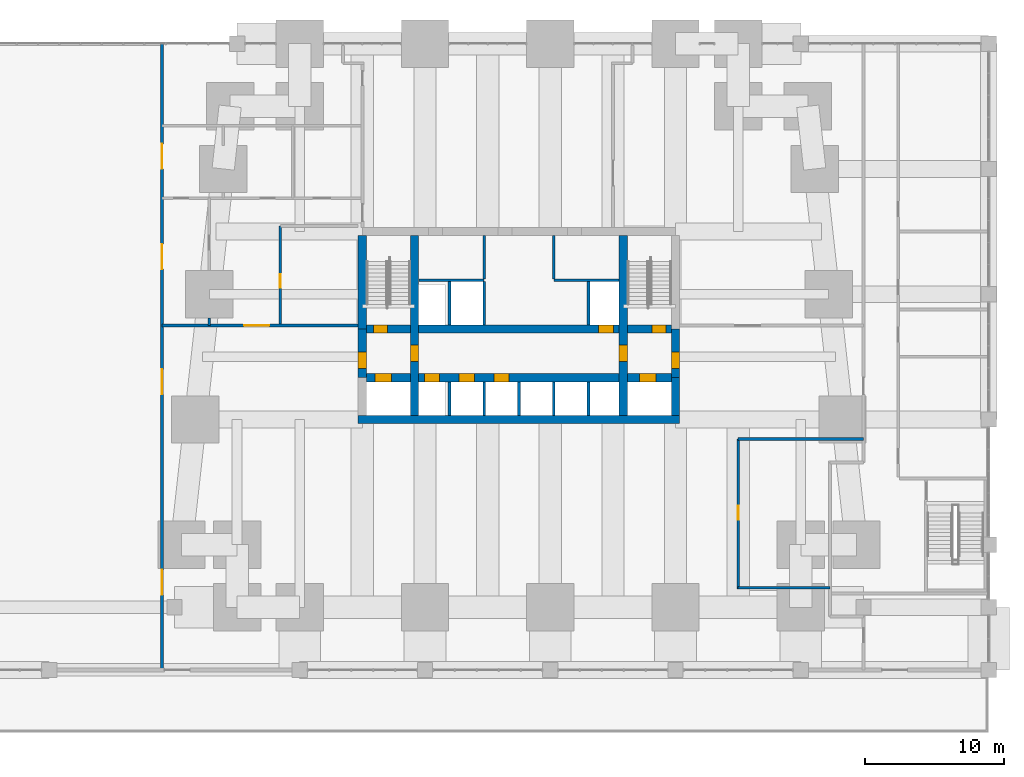
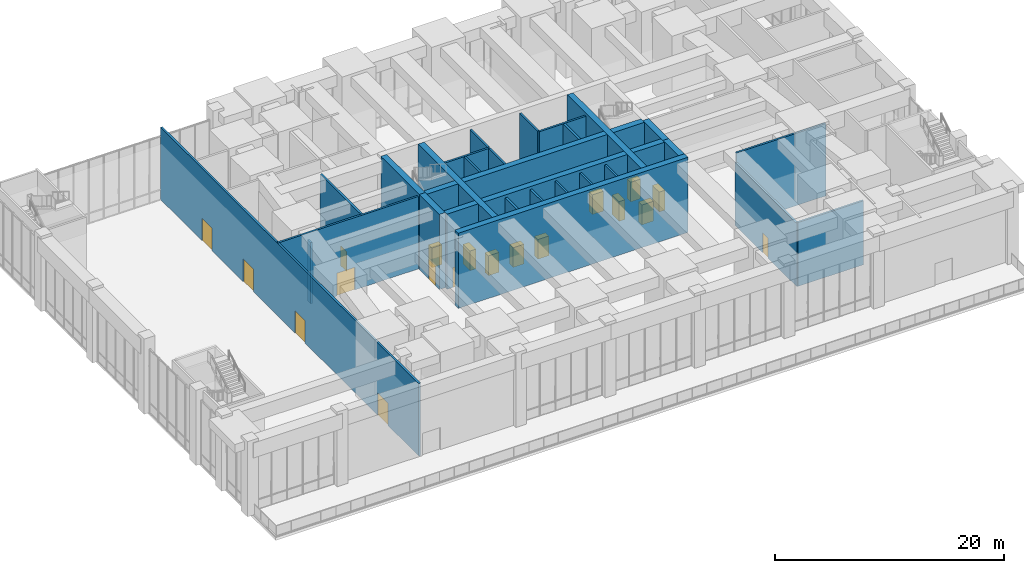
# One storey, part 18 of 26: 28 walls, 19 doors, 19 openings.
"""IFC4 building model written with IfcOpenShell, lengths in metres."""

from ifc_helpers import new_model, si_unit, direction, frame, frame_2d, origin, place, context, subcontext, project, spatial, rectangle, extrude, material, layer, layer_set, type_object, element, fill, save


model = new_model("IFC4")

# Units and contexts
model_context = context("Model", 3, precision=1e-05, world=origin(), true_north=direction((0.0, 1.0)))
body_context = subcontext(model_context, "Body", "Model", "MODEL_VIEW")
ifc_project = project(units=[si_unit("LENGTHUNIT", "METRE"), si_unit("AREAUNIT", "SQUARE_METRE"), si_unit("VOLUMEUNIT", "CUBIC_METRE"), si_unit("PLANEANGLEUNIT", "RADIAN"), si_unit("MASSUNIT", "GRAM", prefix="KILO")], contexts=[model_context])

# Site, building, storey
site_placement = place(None, origin())
site = spatial("IfcSite", under=ifc_project, at=site_placement, CompositionType="ELEMENT")
building_placement = place(site_placement, origin())
building = spatial("IfcBuilding", under=site, at=building_placement, Name="Kilele Tower Hotel", CompositionType="ELEMENT")
storey_placement = place(building_placement, frame((0.0, 0.0, 11.0)))
storey = spatial("IfcBuildingStorey", under=building, at=storey_placement, Name="L02", CompositionType="ELEMENT", Elevation=11.0)

# Wall
ifc_material_1 = material(Name="Concrete C60/75", Category="concrete")
ifc_layer_1 = layer(ifc_material_1, 0.60009765625)
ifc_layer_set_1 = layer_set([ifc_layer_1], Name="Concrete C60/75")
wall_type_1 = type_object("IfcWallType", Name="Core wall 600 C60/75", PredefinedType="SHEAR", material=ifc_layer_set_1)
wall_1_placement = place(storey_placement, frame((13.199951171875, 13.5, 0.0), z_axis=(0.0, 0.0, 1.0), x_axis=(1.0, 0.0, 0.0)))
element("IfcWall", 1, at=wall_1_placement, inside=storey, type_object=wall_type_1, Name="Core wall S L02", PredefinedType="SHEAR", context=body_context, shape_type="SweptSolid", body=[
    extrude(rectangle(XDim=23.10009765625, YDim=0.60009765625, at=frame_2d((11.550048828125, 0.0))), origin(), (0.0, 0.0, 1.0), 8.0),
])

# Wall, opening, door
wall_2_placement = place(storey_placement, frame((17.25, 13.800048828125, 0.0), z_axis=(0.0, 0.0, 1.0), x_axis=(0.0, 1.0, 0.0)))
wall_2 = element("IfcWall", 2, at=wall_2_placement, inside=storey, type_object=wall_type_1, Name="Core wall IW L02", PredefinedType="SHEAR", context=body_context, shape_type="SweptSolid", body=[
    extrude(rectangle(XDim=12.89990234375, YDim=0.60009765625, at=frame_2d((6.449951171875, 0.0))), origin(), (0.0, 0.0, 1.0), 8.0),
])
opening_1_placement = place(wall_2_placement, frame((3.85009765625, 0.0, 0.0)))
opening_1 = element("IfcOpeningElement", 3, at=opening_1_placement, cuts=wall_2, Name="Opening D4", PredefinedType="OPENING", context=body_context, shape_type="SweptSolid", body=[
    extrude(rectangle(XDim=1.199951171875, YDim=2.10009765625, at=frame_2d((0.60009765625, 1.050048828125))), frame((0.0, 0.31005859375, 0.0), z_axis=(0.0, -1.0, 0.0), x_axis=(1.0, 0.0, 0.0)), (0.0, 0.0, 1.0), 0.6201171875),
])
ifc_material_2 = material(Name="Timber door leaf in hardwood frame", Category="wood")
door_type_1 = type_object("IfcDoorType", Name="Firefighting lobby door 1200", OperationType="SINGLE_SWING_LEFT", PredefinedType="DOOR", material=ifc_material_2)
door_1_placement = place(opening_1_placement, origin())
door_1 = element("IfcDoor", 4, at=door_1_placement, inside=storey, type_object=door_type_1, Name="Lobby door L02", OperationType="SINGLE_SWING_LEFT", OverallHeight=2.10009765625, OverallWidth=1.199951171875, PredefinedType="DOOR", context=body_context, shape_type="SweptSolid", body=[
    extrude(rectangle(XDim=1.199951171875, YDim=2.10009765625, at=frame_2d((0.60009765625, 1.050048828125))), frame((0.0, 0.2998046875, 0.0), z_axis=(0.0, -1.0, 0.0), x_axis=(1.0, 0.0, 0.0)), (0.0, 0.0, 1.0), 0.599609375),
])
fill(opening_1, door_1)

wall_3_placement = place(storey_placement, frame((32.25, 13.800048828125, 0.0), z_axis=(0.0, 0.0, 1.0), x_axis=(0.0, 1.0, 0.0)))
wall_3 = element("IfcWall", 5, at=wall_3_placement, inside=storey, type_object=wall_type_1, Name="Core wall IE L02", PredefinedType="SHEAR", context=body_context, shape_type="SweptSolid", body=[
    extrude(rectangle(XDim=12.89990234375, YDim=0.60009765625, at=frame_2d((6.449951171875, 0.0))), origin(), (0.0, 0.0, 1.0), 8.0),
])
opening_2_placement = place(wall_3_placement, frame((5.050048828125, 0.0, 0.0), z_axis=(0.0, 0.0, 1.0), x_axis=(-1.0, 0.0, 0.0)))
opening_2 = element("IfcOpeningElement", 6, at=opening_2_placement, cuts=wall_3, Name="Opening D4", PredefinedType="OPENING", context=body_context, shape_type="SweptSolid", body=[
    extrude(rectangle(XDim=1.199951171875, YDim=2.10009765625, at=frame_2d((0.60009765625, 1.050048828125))), frame((0.0, 0.31005859375, 0.0), z_axis=(0.0, -1.0, 0.0), x_axis=(1.0, 0.0, 0.0)), (0.0, 0.0, 1.0), 0.6201171875),
])
door_2_placement = place(opening_2_placement, origin())
door_2 = element("IfcDoor", 7, at=door_2_placement, inside=storey, type_object=door_type_1, Name="Lobby door L02", OperationType="SINGLE_SWING_RIGHT", OverallHeight=2.10009765625, OverallWidth=1.199951171875, PredefinedType="DOOR", context=body_context, shape_type="SweptSolid", body=[
    extrude(rectangle(XDim=1.199951171875, YDim=2.10009765625, at=frame_2d((0.60009765625, 1.050048828125))), frame((0.0, 0.2998046875, 0.0), z_axis=(0.0, -1.0, 0.0), x_axis=(1.0, 0.0, 0.0)), (0.0, 0.0, 1.0), 0.599609375),
])
fill(opening_2, door_2)

# Wall, openings, doors
wall_4_placement = place(storey_placement, frame((13.800048828125, 16.5, 0.0), z_axis=(0.0, 0.0, 1.0), x_axis=(1.0, 0.0, 0.0)))
wall_4 = element("IfcWall", 8, at=wall_4_placement, inside=storey, type_object=wall_type_1, Name="Core wall LS L02", PredefinedType="SHEAR", context=body_context, shape_type="SweptSolid", body=[
    extrude(rectangle(XDim=21.89990234375, YDim=0.60009765625, at=frame_2d((10.949951171875, 0.0))), origin(), (0.0, 0.0, 1.0), 8.0),
])
opening_3_placement = place(wall_4_placement, frame((4.14990234375, 0.0, 0.0)))
opening_3 = element("IfcOpeningElement", 9, at=opening_3_placement, cuts=wall_4, Name="Opening LD1", PredefinedType="OPENING", context=body_context, shape_type="SweptSolid", body=[
    extrude(rectangle(XDim=1.10009765625, YDim=2.10009765625, at=frame_2d((0.550048828125, 1.050048828125))), frame((0.0, 0.31005859375, 0.0), z_axis=(0.0, -1.0, 0.0), x_axis=(1.0, 0.0, 0.0)), (0.0, 0.0, 1.0), 0.6201171875),
])
opening_4_placement = place(wall_4_placement, frame((6.64990234375, 0.0, 0.0)))
opening_4 = element("IfcOpeningElement", 10, at=opening_4_placement, cuts=wall_4, Name="Opening LD1", PredefinedType="OPENING", context=body_context, shape_type="SweptSolid", body=[
    extrude(rectangle(XDim=1.10009765625, YDim=2.10009765625, at=frame_2d((0.550048828125, 1.050048828125))), frame((0.0, 0.31005859375, 0.0), z_axis=(0.0, -1.0, 0.0), x_axis=(1.0, 0.0, 0.0)), (0.0, 0.0, 1.0), 0.6201171875),
])
opening_5_placement = place(wall_4_placement, frame((9.14990234375, 0.0, 0.0)))
opening_5 = element("IfcOpeningElement", 11, at=opening_5_placement, cuts=wall_4, Name="Opening LD1", PredefinedType="OPENING", context=body_context, shape_type="SweptSolid", body=[
    extrude(rectangle(XDim=1.10009765625, YDim=2.10009765625, at=frame_2d((0.550048828125, 1.050048828125))), frame((0.0, 0.31005859375, 0.0), z_axis=(0.0, -1.0, 0.0), x_axis=(1.0, 0.0, 0.0)), (0.0, 0.0, 1.0), 0.6201171875),
])
opening_6_placement = place(wall_4_placement, frame((0.60009765625, 0.0, 0.0)))
opening_6 = element("IfcOpeningElement", 12, at=opening_6_placement, cuts=wall_4, Name="Opening LD2", PredefinedType="OPENING", context=body_context, shape_type="SweptSolid", body=[
    extrude(rectangle(XDim=1.199951171875, YDim=2.10009765625, at=frame_2d((0.60009765625, 1.050048828125))), frame((0.0, 0.31005859375, 0.0), z_axis=(0.0, -1.0, 0.0), x_axis=(1.0, 0.0, 0.0)), (0.0, 0.0, 1.0), 0.6201171875),
])
opening_7_placement = place(wall_4_placement, frame((19.60009765625, 0.0, 0.0)))
opening_7 = element("IfcOpeningElement", 13, at=opening_7_placement, cuts=wall_4, Name="Opening LD2", PredefinedType="OPENING", context=body_context, shape_type="SweptSolid", body=[
    extrude(rectangle(XDim=1.199951171875, YDim=2.10009765625, at=frame_2d((0.60009765625, 1.050048828125))), frame((0.0, 0.31005859375, 0.0), z_axis=(0.0, -1.0, 0.0), x_axis=(1.0, 0.0, 0.0)), (0.0, 0.0, 1.0), 0.6201171875),
])
ifc_material_3 = material(Name="Steel lift landing door", Category="steel")
door_type_2 = type_object("IfcDoorType", Name="Firefighting lift landing door 1200", OperationType="SLIDING_TO_LEFT", PredefinedType="DOOR", material=ifc_material_3)
door_3_placement = place(opening_6_placement, origin())
door_3 = element("IfcDoor", 14, at=door_3_placement, inside=storey, type_object=door_type_2, Name="Landing door FFW L02", OperationType="SLIDING_TO_LEFT", OverallHeight=2.10009765625, OverallWidth=1.199951171875, PredefinedType="DOOR", context=body_context, shape_type="SweptSolid", body=[
    extrude(rectangle(XDim=1.199951171875, YDim=2.10009765625, at=frame_2d((0.60009765625, 1.050048828125))), frame((0.0, 0.2998046875, 0.0), z_axis=(0.0, -1.0, 0.0), x_axis=(1.0, 0.0, 0.0)), (0.0, 0.0, 1.0), 0.599609375),
])
fill(opening_6, door_3)
door_4_placement = place(opening_7_placement, origin())
door_4 = element("IfcDoor", 15, at=door_4_placement, inside=storey, type_object=door_type_2, Name="Landing door FFE L02", OperationType="SLIDING_TO_LEFT", OverallHeight=2.10009765625, OverallWidth=1.199951171875, PredefinedType="DOOR", context=body_context, shape_type="SweptSolid", body=[
    extrude(rectangle(XDim=1.199951171875, YDim=2.10009765625, at=frame_2d((0.60009765625, 1.050048828125))), frame((0.0, 0.2998046875, 0.0), z_axis=(0.0, -1.0, 0.0), x_axis=(1.0, 0.0, 0.0)), (0.0, 0.0, 1.0), 0.599609375),
])
fill(opening_7, door_4)
ifc_material_4 = material(Name="Steel lift landing door", Category="steel")
door_type_3 = type_object("IfcDoorType", Name="Lift landing door 1100", OperationType="SLIDING_TO_LEFT", PredefinedType="DOOR", material=ifc_material_4)
door_5_placement = place(opening_3_placement, origin())
door_5 = element("IfcDoor", 16, at=door_5_placement, inside=storey, type_object=door_type_3, Name="Landing door L1 L02", OperationType="SLIDING_TO_LEFT", OverallHeight=2.10009765625, OverallWidth=1.10009765625, PredefinedType="DOOR", context=body_context, shape_type="SweptSolid", body=[
    extrude(rectangle(XDim=1.10009765625, YDim=2.10009765625, at=frame_2d((0.550048828125, 1.050048828125))), frame((0.0, 0.2998046875, 0.0), z_axis=(0.0, -1.0, 0.0), x_axis=(1.0, 0.0, 0.0)), (0.0, 0.0, 1.0), 0.599609375),
])
fill(opening_3, door_5)
door_6_placement = place(opening_4_placement, origin())
door_6 = element("IfcDoor", 17, at=door_6_placement, inside=storey, type_object=door_type_3, Name="Landing door L2 L02", OperationType="SLIDING_TO_LEFT", OverallHeight=2.10009765625, OverallWidth=1.10009765625, PredefinedType="DOOR", context=body_context, shape_type="SweptSolid", body=[
    extrude(rectangle(XDim=1.10009765625, YDim=2.10009765625, at=frame_2d((0.550048828125, 1.050048828125))), frame((0.0, 0.2998046875, 0.0), z_axis=(0.0, -1.0, 0.0), x_axis=(1.0, 0.0, 0.0)), (0.0, 0.0, 1.0), 0.599609375),
])
fill(opening_4, door_6)
door_7_placement = place(opening_5_placement, origin())
door_7 = element("IfcDoor", 18, at=door_7_placement, inside=storey, type_object=door_type_3, Name="Landing door L3 L02", OperationType="SLIDING_TO_LEFT", OverallHeight=2.10009765625, OverallWidth=1.10009765625, PredefinedType="DOOR", context=body_context, shape_type="SweptSolid", body=[
    extrude(rectangle(XDim=1.10009765625, YDim=2.10009765625, at=frame_2d((0.550048828125, 1.050048828125))), frame((0.0, 0.2998046875, 0.0), z_axis=(0.0, -1.0, 0.0), x_axis=(1.0, 0.0, 0.0)), (0.0, 0.0, 1.0), 0.599609375),
])
fill(opening_5, door_7)

wall_5_placement = place(storey_placement, frame((13.800048828125, 20.0, 0.0), z_axis=(0.0, 0.0, 1.0), x_axis=(1.0, 0.0, 0.0)))
wall_5 = element("IfcWall", 19, at=wall_5_placement, inside=storey, type_object=wall_type_1, Name="Core wall LN L02", PredefinedType="SHEAR", context=body_context, shape_type="SweptSolid", body=[
    extrude(rectangle(XDim=21.89990234375, YDim=0.60009765625, at=frame_2d((10.949951171875, 0.0))), origin(), (0.0, 0.0, 1.0), 8.0),
])
opening_8_placement = place(wall_5_placement, frame((0.5, 0.0, 0.0)))
opening_8 = element("IfcOpeningElement", 20, at=opening_8_placement, cuts=wall_5, Name="Opening D5", PredefinedType="OPENING", context=body_context, shape_type="SweptSolid", body=[
    extrude(rectangle(XDim=1.0, YDim=2.10009765625, at=frame_2d((0.5, 1.050048828125))), frame((0.0, 0.31005859375, 0.0), z_axis=(0.0, -1.0, 0.0), x_axis=(1.0, 0.0, 0.0)), (0.0, 0.0, 1.0), 0.6201171875),
])
opening_9_placement = place(wall_5_placement, frame((20.5, 0.0, 0.0)))
opening_9 = element("IfcOpeningElement", 21, at=opening_9_placement, cuts=wall_5, Name="Opening D5", PredefinedType="OPENING", context=body_context, shape_type="SweptSolid", body=[
    extrude(rectangle(XDim=1.0, YDim=2.10009765625, at=frame_2d((0.5, 1.050048828125))), frame((0.0, 0.31005859375, 0.0), z_axis=(0.0, -1.0, 0.0), x_axis=(1.0, 0.0, 0.0)), (0.0, 0.0, 1.0), 0.6201171875),
])
opening_10_placement = place(wall_5_placement, frame((16.64990234375, 0.0, 0.0)))
opening_10 = element("IfcOpeningElement", 22, at=opening_10_placement, cuts=wall_5, Name="Opening LD1", PredefinedType="OPENING", context=body_context, shape_type="SweptSolid", body=[
    extrude(rectangle(XDim=1.10009765625, YDim=2.10009765625, at=frame_2d((0.550048828125, 1.050048828125))), frame((0.0, 0.31005859375, 0.0), z_axis=(0.0, -1.0, 0.0), x_axis=(1.0, 0.0, 0.0)), (0.0, 0.0, 1.0), 0.6201171875),
])
door_8_placement = place(opening_10_placement, origin())
door_8 = element("IfcDoor", 23, at=door_8_placement, inside=storey, type_object=door_type_3, Name="Landing door G1 L02", OperationType="SLIDING_TO_LEFT", OverallHeight=2.10009765625, OverallWidth=1.10009765625, PredefinedType="DOOR", context=body_context, shape_type="SweptSolid", body=[
    extrude(rectangle(XDim=1.10009765625, YDim=2.10009765625, at=frame_2d((0.550048828125, 1.050048828125))), frame((0.0, 0.2998046875, 0.0), z_axis=(0.0, -1.0, 0.0), x_axis=(1.0, 0.0, 0.0)), (0.0, 0.0, 1.0), 0.599609375),
])
fill(opening_10, door_8)
ifc_material_5 = material(Name="Timber door leaf in hardwood frame", Category="wood")
door_type_4 = type_object("IfcDoorType", Name="Stair door 1000", OperationType="SINGLE_SWING_LEFT", PredefinedType="DOOR", material=ifc_material_5)
door_9_placement = place(opening_8_placement, origin())
door_9 = element("IfcDoor", 24, at=door_9_placement, inside=storey, type_object=door_type_4, Name="Stair 1 door L02", OperationType="SINGLE_SWING_LEFT", OverallHeight=2.10009765625, OverallWidth=1.0, PredefinedType="DOOR", context=body_context, shape_type="SweptSolid", body=[
    extrude(rectangle(XDim=1.0, YDim=2.10009765625, at=frame_2d((0.5, 1.050048828125))), frame((0.0, 0.2998046875, 0.0), z_axis=(0.0, -1.0, 0.0), x_axis=(1.0, 0.0, 0.0)), (0.0, 0.0, 1.0), 0.599609375),
])
fill(opening_8, door_9)
door_10_placement = place(opening_9_placement, origin())
door_10 = element("IfcDoor", 25, at=door_10_placement, inside=storey, type_object=door_type_4, Name="Stair 2 door L02", OperationType="SINGLE_SWING_RIGHT", OverallHeight=2.10009765625, OverallWidth=1.0, PredefinedType="DOOR", context=body_context, shape_type="SweptSolid", body=[
    extrude(rectangle(XDim=1.0, YDim=2.10009765625, at=frame_2d((0.5, 1.050048828125))), frame((0.0, 0.2998046875, 0.0), z_axis=(0.0, -1.0, 0.0), x_axis=(1.0, 0.0, 0.0)), (0.0, 0.0, 1.0), 0.599609375),
])
fill(opening_9, door_10)

# Wall
wall_6_placement = place(storey_placement, frame((13.5, 26.699951171875, 0.0), z_axis=(0.0, 0.0, 1.0), x_axis=(0.0, -1.0, 0.0)))
element("IfcWall", 26, at=wall_6_placement, inside=storey, type_object=wall_type_1, Name="Core wall W1 L02", PredefinedType="SHEAR", context=body_context, shape_type="SweptSolid", body=[
    extrude(rectangle(XDim=6.699951171875, YDim=0.60009765625, at=frame_2d((3.35009765625, 0.0))), origin(), (0.0, 0.0, 1.0), 8.0),
])

# Wall, opening, door
wall_7_placement = place(storey_placement, frame((13.5, 20.0, 0.0), z_axis=(0.0, 0.0, 1.0), x_axis=(0.0, -1.0, 0.0)))
wall_7 = element("IfcWall", 27, at=wall_7_placement, inside=storey, type_object=wall_type_1, Name="Core wall W2 L02", PredefinedType="SHEAR", context=body_context, shape_type="SweptSolid", body=[
    extrude(rectangle(XDim=3.5, YDim=0.60009765625, at=frame_2d((1.75, 0.0))), origin(), (0.0, 0.0, 1.0), 8.0),
])
opening_11_placement = place(wall_7_placement, frame((1.64990234375, 0.0, 0.0)))
opening_11 = element("IfcOpeningElement", 28, at=opening_11_placement, cuts=wall_7, Name="Opening D4", PredefinedType="OPENING", context=body_context, shape_type="SweptSolid", body=[
    extrude(rectangle(XDim=1.199951171875, YDim=2.10009765625, at=frame_2d((0.60009765625, 1.050048828125))), frame((0.0, 0.31005859375, 0.0), z_axis=(0.0, -1.0, 0.0), x_axis=(1.0, 0.0, 0.0)), (0.0, 0.0, 1.0), 0.6201171875),
])
door_11_placement = place(opening_11_placement, origin())
door_11 = element("IfcDoor", 29, at=door_11_placement, inside=storey, type_object=door_type_1, Name="Lobby door L02", OperationType="SINGLE_SWING_RIGHT", OverallHeight=2.10009765625, OverallWidth=1.199951171875, PredefinedType="DOOR", context=body_context, shape_type="SweptSolid", body=[
    extrude(rectangle(XDim=1.199951171875, YDim=2.10009765625, at=frame_2d((0.60009765625, 1.050048828125))), frame((0.0, 0.2998046875, 0.0), z_axis=(0.0, -1.0, 0.0), x_axis=(1.0, 0.0, 0.0)), (0.0, 0.0, 1.0), 0.599609375),
])
fill(opening_11, door_11)

# Wall
wall_8_placement = place(storey_placement, frame((36.0, 13.800048828125, 0.0), z_axis=(0.0, 0.0, 1.0), x_axis=(0.0, 1.0, 0.0)))
element("IfcWall", 30, at=wall_8_placement, inside=storey, type_object=wall_type_1, Name="Core wall E1 L02", PredefinedType="SHEAR", context=body_context, shape_type="SweptSolid", body=[
    extrude(rectangle(XDim=2.699951171875, YDim=0.60009765625, at=frame_2d((1.35009765625, 0.0))), origin(), (0.0, 0.0, 1.0), 8.0),
])

# Wall, opening, door
wall_9_placement = place(storey_placement, frame((36.0, 16.5, 0.0), z_axis=(0.0, 0.0, 1.0), x_axis=(0.0, 1.0, 0.0)))
wall_9 = element("IfcWall", 31, at=wall_9_placement, inside=storey, type_object=wall_type_1, Name="Core wall E2 L02", PredefinedType="SHEAR", context=body_context, shape_type="SweptSolid", body=[
    extrude(rectangle(XDim=3.5, YDim=0.60009765625, at=frame_2d((1.75, 0.0))), origin(), (0.0, 0.0, 1.0), 8.0),
])
opening_12_placement = place(wall_9_placement, frame((0.64990234375, 0.0, 0.0)))
opening_12 = element("IfcOpeningElement", 32, at=opening_12_placement, cuts=wall_9, Name="Opening D4", PredefinedType="OPENING", context=body_context, shape_type="SweptSolid", body=[
    extrude(rectangle(XDim=1.199951171875, YDim=2.10009765625, at=frame_2d((0.60009765625, 1.050048828125))), frame((0.0, 0.31005859375, 0.0), z_axis=(0.0, -1.0, 0.0), x_axis=(1.0, 0.0, 0.0)), (0.0, 0.0, 1.0), 0.6201171875),
])
door_12_placement = place(opening_12_placement, origin())
door_12 = element("IfcDoor", 33, at=door_12_placement, inside=storey, type_object=door_type_1, Name="Lobby door L02", OperationType="SINGLE_SWING_LEFT", OverallHeight=2.10009765625, OverallWidth=1.199951171875, PredefinedType="DOOR", context=body_context, shape_type="SweptSolid", body=[
    extrude(rectangle(XDim=1.199951171875, YDim=2.10009765625, at=frame_2d((0.60009765625, 1.050048828125))), frame((0.0, 0.2998046875, 0.0), z_axis=(0.0, -1.0, 0.0), x_axis=(1.0, 0.0, 0.0)), (0.0, 0.0, 1.0), 0.599609375),
])
fill(opening_12, door_12)

# Wall, openings, doors
ifc_material_6 = material(Name="Blockwork, plastered both sides", Category="masonry")
ifc_layer_2 = layer(ifc_material_6, 0.199951171875)
ifc_layer_set_2 = layer_set([ifc_layer_2], Name="Blockwork, plastered both sides")
wall_type_2 = type_object("IfcWallType", Name="Partition wall 200", PredefinedType="PARTITIONING", material=ifc_layer_set_2)
wall_10_placement = place(storey_placement, frame((-0.89990234375, -4.5, 0.0), z_axis=(0.0, 0.0, 1.0), x_axis=(0.0, 1.0, 0.0)))
wall_10 = element("IfcWall", 34, at=wall_10_placement, inside=storey, type_object=wall_type_2, Name="Partition wall 200 L02", PredefinedType="PARTITIONING", context=body_context, shape_type="SweptSolid", body=[
    extrude(rectangle(XDim=45.0, YDim=0.199951171875, at=frame_2d((22.5, 0.0))), origin(), (0.0, 0.0, 1.0), 7.699951171875),
])
opening_13_placement = place(wall_10_placement, frame((7.199951171875, 0.0, 0.0), z_axis=(0.0, 0.0, 1.0), x_axis=(-1.0, 0.0, 0.0)))
opening_13 = element("IfcOpeningElement", 35, at=opening_13_placement, cuts=wall_10, Name="Opening D9", PredefinedType="OPENING", context=body_context, shape_type="SweptSolid", body=[
    extrude(rectangle(XDim=1.800048828125, YDim=2.39990234375, at=frame_2d((0.89990234375, 1.199951171875))), frame((0.0, 0.10986328125, 0.0), z_axis=(0.0, -1.0, 0.0), x_axis=(1.0, 0.0, 0.0)), (0.0, 0.0, 1.0), 0.219970703125),
])
opening_14_placement = place(wall_10_placement, frame((21.60009765625, 0.0, 0.0), z_axis=(0.0, 0.0, 1.0), x_axis=(-1.0, 0.0, 0.0)))
opening_14 = element("IfcOpeningElement", 36, at=opening_14_placement, cuts=wall_10, Name="Opening D9", PredefinedType="OPENING", context=body_context, shape_type="SweptSolid", body=[
    extrude(rectangle(XDim=1.800048828125, YDim=2.39990234375, at=frame_2d((0.89990234375, 1.199951171875))), frame((0.0, 0.10986328125, 0.0), z_axis=(0.0, -1.0, 0.0), x_axis=(1.0, 0.0, 0.0)), (0.0, 0.0, 1.0), 0.219970703125),
])
opening_15_placement = place(wall_10_placement, frame((28.800048828125, 0.0, 0.0)))
opening_15 = element("IfcOpeningElement", 37, at=opening_15_placement, cuts=wall_10, Name="Opening D9", PredefinedType="OPENING", context=body_context, shape_type="SweptSolid", body=[
    extrude(rectangle(XDim=1.800048828125, YDim=2.39990234375, at=frame_2d((0.89990234375, 1.199951171875))), frame((0.0, 0.10986328125, 0.0), z_axis=(0.0, -1.0, 0.0), x_axis=(1.0, 0.0, 0.0)), (0.0, 0.0, 1.0), 0.219970703125),
])
opening_16_placement = place(wall_10_placement, frame((37.800048828125, 0.0, 0.0), z_axis=(0.0, 0.0, 1.0), x_axis=(-1.0, 0.0, 0.0)))
opening_16 = element("IfcOpeningElement", 38, at=opening_16_placement, cuts=wall_10, Name="Opening D9", PredefinedType="OPENING", context=body_context, shape_type="SweptSolid", body=[
    extrude(rectangle(XDim=1.800048828125, YDim=2.39990234375, at=frame_2d((0.89990234375, 1.199951171875))), frame((0.0, 0.10986328125, 0.0), z_axis=(0.0, -1.0, 0.0), x_axis=(1.0, 0.0, 0.0)), (0.0, 0.0, 1.0), 0.219970703125),
])
ifc_material_7 = material(Name="Timber door leaf in hardwood frame", Category="wood")
door_type_5 = type_object("IfcDoorType", Name="Double door 1800", OperationType="DOUBLE_DOOR_SINGLE_SWING", PredefinedType="DOOR", material=ifc_material_7)
door_13_placement = place(opening_13_placement, origin())
door_13 = element("IfcDoor", 39, at=door_13_placement, inside=storey, type_object=door_type_5, Name="Ballroom door", OperationType="DOUBLE_DOOR_SINGLE_SWING", OverallHeight=2.39990234375, OverallWidth=1.800048828125, PredefinedType="DOOR", context=body_context, shape_type="SweptSolid", body=[
    extrude(rectangle(XDim=1.800048828125, YDim=2.39990234375, at=frame_2d((0.89990234375, 1.199951171875))), frame((0.0, 0.02490234375, 0.0), z_axis=(0.0, -1.0, 0.0), x_axis=(1.0, 0.0, 0.0)), (0.0, 0.0, 1.0), 0.050048828125),
])
fill(opening_13, door_13)
door_14_placement = place(opening_14_placement, origin())
door_14 = element("IfcDoor", 40, at=door_14_placement, inside=storey, type_object=door_type_5, Name="Ballroom door", OperationType="DOUBLE_DOOR_SINGLE_SWING", OverallHeight=2.39990234375, OverallWidth=1.800048828125, PredefinedType="DOOR", context=body_context, shape_type="SweptSolid", body=[
    extrude(rectangle(XDim=1.800048828125, YDim=2.39990234375, at=frame_2d((0.89990234375, 1.199951171875))), frame((0.0, 0.02490234375, 0.0), z_axis=(0.0, -1.0, 0.0), x_axis=(1.0, 0.0, 0.0)), (0.0, 0.0, 1.0), 0.050048828125),
])
fill(opening_14, door_14)
door_15_placement = place(opening_15_placement, origin())
door_15 = element("IfcDoor", 41, at=door_15_placement, inside=storey, type_object=door_type_5, Name="Ballroom door", OperationType="DOUBLE_DOOR_SINGLE_SWING", OverallHeight=2.39990234375, OverallWidth=1.800048828125, PredefinedType="DOOR", context=body_context, shape_type="SweptSolid", body=[
    extrude(rectangle(XDim=1.800048828125, YDim=2.39990234375, at=frame_2d((0.89990234375, 1.199951171875))), frame((0.0, 0.02490234375, 0.0), z_axis=(0.0, -1.0, 0.0), x_axis=(1.0, 0.0, 0.0)), (0.0, 0.0, 1.0), 0.050048828125),
])
fill(opening_15, door_15)
door_16_placement = place(opening_16_placement, origin())
door_16 = element("IfcDoor", 42, at=door_16_placement, inside=storey, type_object=door_type_5, Name="Ballroom door", OperationType="DOUBLE_DOOR_SINGLE_SWING", OverallHeight=2.39990234375, OverallWidth=1.800048828125, PredefinedType="DOOR", context=body_context, shape_type="SweptSolid", body=[
    extrude(rectangle(XDim=1.800048828125, YDim=2.39990234375, at=frame_2d((0.89990234375, 1.199951171875))), frame((0.0, 0.02490234375, 0.0), z_axis=(0.0, -1.0, 0.0), x_axis=(1.0, 0.0, 0.0)), (0.0, 0.0, 1.0), 0.050048828125),
])
fill(opening_16, door_16)

# Wall, opening, door
wall_11_placement = place(storey_placement, frame((40.5, 1.300048828125, 0.0), z_axis=(0.0, 0.0, 1.0), x_axis=(0.0, 1.0, 0.0)))
wall_11 = element("IfcWall", 43, at=wall_11_placement, inside=storey, type_object=wall_type_2, Name="Partition wall 200 L02", PredefinedType="PARTITIONING", context=body_context, shape_type="SweptSolid", body=[
    extrude(rectangle(XDim=10.800048828125, YDim=0.199951171875, at=frame_2d((5.39990234375, 0.0))), origin(), (0.0, 0.0, 1.0), 6.699951171875),
])
opening_17_placement = place(wall_11_placement, frame((6.0, 0.0, 0.0), z_axis=(0.0, 0.0, 1.0), x_axis=(-1.0, 0.0, 0.0)))
opening_17 = element("IfcOpeningElement", 44, at=opening_17_placement, cuts=wall_11, Name="Opening D8", PredefinedType="OPENING", context=body_context, shape_type="SweptSolid", body=[
    extrude(rectangle(XDim=1.0, YDim=2.10009765625, at=frame_2d((0.5, 1.050048828125))), frame((0.0, 0.10986328125, 0.0), z_axis=(0.0, -1.0, 0.0), x_axis=(1.0, 0.0, 0.0)), (0.0, 0.0, 1.0), 0.219970703125),
])
ifc_material_8 = material(Name="Timber door leaf in hardwood frame", Category="wood")
door_type_6 = type_object("IfcDoorType", Name="Door 1000", OperationType="SINGLE_SWING_LEFT", PredefinedType="DOOR", material=ifc_material_8)
door_17_placement = place(opening_17_placement, origin())
door_17 = element("IfcDoor", 45, at=door_17_placement, inside=storey, type_object=door_type_6, Name="Door bridal preparation suite", OperationType="SINGLE_SWING_LEFT", OverallHeight=2.10009765625, OverallWidth=1.0, PredefinedType="DOOR", context=body_context, shape_type="SweptSolid", body=[
    extrude(rectangle(XDim=1.0, YDim=2.10009765625, at=frame_2d((0.5, 1.050048828125))), frame((0.0, 0.02490234375, 0.0), z_axis=(0.0, -1.0, 0.0), x_axis=(1.0, 0.0, 0.0)), (0.0, 0.0, 1.0), 0.050048828125),
])
fill(opening_17, door_17)

# Walls
wall_12_placement = place(storey_placement, frame((40.5, 12.10009765625, 0.0), z_axis=(0.0, 0.0, 1.0), x_axis=(1.0, 0.0, 0.0)))
element("IfcWall", 46, at=wall_12_placement, inside=storey, type_object=wall_type_2, Name="Partition wall 200 L02", PredefinedType="PARTITIONING", context=body_context, shape_type="SweptSolid", body=[
    extrude(rectangle(XDim=9.0, YDim=0.199951171875, at=frame_2d((4.5, 0.0))), origin(), (0.0, 0.0, 1.0), 7.699951171875),
])
wall_13_placement = place(storey_placement, frame((40.5, 1.39990234375, 0.0), z_axis=(0.0, 0.0, 1.0), x_axis=(1.0, 0.0, 0.0)))
element("IfcWall", 47, at=wall_13_placement, inside=storey, type_object=wall_type_2, Name="Partition wall 200 L02", PredefinedType="PARTITIONING", context=body_context, shape_type="SweptSolid", body=[
    extrude(rectangle(XDim=6.60009765625, YDim=0.199951171875, at=frame_2d((3.300048828125, 0.0))), origin(), (0.0, 0.0, 1.0), 6.800048828125),
])

# Wall, opening, door
wall_14_placement = place(storey_placement, frame((-0.89990234375, 20.25, 0.0), z_axis=(0.0, 0.0, 1.0), x_axis=(1.0, 0.0, 0.0)))
wall_14 = element("IfcWall", 48, at=wall_14_placement, inside=storey, type_object=wall_type_2, Name="Partition wall 200 L02", PredefinedType="PARTITIONING", context=body_context, shape_type="SweptSolid", body=[
    extrude(rectangle(XDim=14.099853515625, YDim=0.199951171875, at=frame_2d((7.0498046875, 0.0))), origin(), (0.0, 0.0, 1.0), 7.699951171875),
])
opening_18_placement = place(wall_14_placement, frame((7.699951171875, 0.0, 0.0), z_axis=(0.0, 0.0, 1.0), x_axis=(-1.0, 0.0, 0.0)))
opening_18 = element("IfcOpeningElement", 49, at=opening_18_placement, cuts=wall_14, Name="Opening D9", PredefinedType="OPENING", context=body_context, shape_type="SweptSolid", body=[
    extrude(rectangle(XDim=1.800048828125, YDim=2.39990234375, at=frame_2d((0.89990234375, 1.199951171875))), frame((0.0, 0.10986328125, 0.0), z_axis=(0.0, -1.0, 0.0), x_axis=(1.0, 0.0, 0.0)), (0.0, 0.0, 1.0), 0.219970703125),
])
door_18_placement = place(opening_18_placement, origin())
door_18 = element("IfcDoor", 50, at=door_18_placement, inside=storey, type_object=door_type_5, Name="Door kitchen service corridor", OperationType="DOUBLE_DOOR_SINGLE_SWING", OverallHeight=2.39990234375, OverallWidth=1.800048828125, PredefinedType="DOOR", context=body_context, shape_type="SweptSolid", body=[
    extrude(rectangle(XDim=1.800048828125, YDim=2.39990234375, at=frame_2d((0.89990234375, 1.199951171875))), frame((0.0, 0.02490234375, 0.0), z_axis=(0.0, -1.0, 0.0), x_axis=(1.0, 0.0, 0.0)), (0.0, 0.0, 1.0), 0.050048828125),
])
fill(opening_18, door_18)

# Wall
wall_15_placement = place(storey_placement, frame((2.5, 20.25, 0.0), z_axis=(0.0, 0.0, 1.0), x_axis=(0.0, 1.0, 0.0)))
element("IfcWall", 51, at=wall_15_placement, inside=storey, type_object=wall_type_2, Name="Partition wall 200 L02", PredefinedType="PARTITIONING", context=body_context, shape_type="SweptSolid", body=[
    extrude(rectangle(XDim=0.550048828125, YDim=0.199951171875, at=frame_2d((0.27490234375, 0.0))), origin(), (0.0, 0.0, 1.0), 6.5),
])

# Wall, opening, door
wall_16_placement = place(storey_placement, frame((7.60009765625, 20.35009765625, 0.0), z_axis=(0.0, 0.0, 1.0), x_axis=(0.0, 1.0, 0.0)))
wall_16 = element("IfcWall", 52, at=wall_16_placement, inside=storey, type_object=wall_type_2, Name="Partition wall 200 L02", PredefinedType="PARTITIONING", context=body_context, shape_type="SweptSolid", body=[
    extrude(rectangle(XDim=7.0498046875, YDim=0.199951171875, at=frame_2d((3.52490234375, 0.0))), origin(), (0.0, 0.0, 1.0), 7.699951171875),
])
opening_19_placement = place(wall_16_placement, frame((3.60009765625, 0.0, 0.0), z_axis=(0.0, 0.0, 1.0), x_axis=(-1.0, 0.0, 0.0)))
opening_19 = element("IfcOpeningElement", 53, at=opening_19_placement, cuts=wall_16, Name="Opening D8", PredefinedType="OPENING", context=body_context, shape_type="SweptSolid", body=[
    extrude(rectangle(XDim=1.0, YDim=2.10009765625, at=frame_2d((0.5, 1.050048828125))), frame((0.0, 0.10986328125, 0.0), z_axis=(0.0, -1.0, 0.0), x_axis=(1.0, 0.0, 0.0)), (0.0, 0.0, 1.0), 0.219970703125),
])
door_19_placement = place(opening_19_placement, origin())
door_19 = element("IfcDoor", 54, at=door_19_placement, inside=storey, type_object=door_type_6, Name="Door dishwash", OperationType="SINGLE_SWING_RIGHT", OverallHeight=2.10009765625, OverallWidth=1.0, PredefinedType="DOOR", context=body_context, shape_type="SweptSolid", body=[
    extrude(rectangle(XDim=1.0, YDim=2.10009765625, at=frame_2d((0.5, 1.050048828125))), frame((0.0, 0.02490234375, 0.0), z_axis=(0.0, -1.0, 0.0), x_axis=(1.0, 0.0, 0.0)), (0.0, 0.0, 1.0), 0.050048828125),
])
fill(opening_19, door_19)

# Walls
ifc_material_9 = material(Name="Blockwork, fire-rated", Category="masonry")
ifc_layer_3 = layer(ifc_material_9, 0.199951171875)
ifc_layer_set_3 = layer_set([ifc_layer_3], Name="Blockwork, fire-rated")
wall_type_3 = type_object("IfcWallType", Name="Shaft wall 200", PredefinedType="PARTITIONING", material=ifc_layer_set_3)
wall_17_placement = place(storey_placement, frame((19.75, 13.800048828125, 0.0), z_axis=(0.0, 0.0, 1.0), x_axis=(0.0, 1.0, 0.0)))
element("IfcWall", 55, at=wall_17_placement, inside=storey, type_object=wall_type_3, Name="Shaft wall 200 L02", PredefinedType="PARTITIONING", context=body_context, shape_type="SweptSolid", body=[
    extrude(rectangle(XDim=2.39990234375, YDim=0.199951171875, at=frame_2d((1.199951171875, 0.0))), origin(), (0.0, 0.0, 1.0), 7.699951171875),
])
wall_18_placement = place(storey_placement, frame((19.75, 20.300048828125, 0.0), z_axis=(0.0, 0.0, 1.0), x_axis=(0.0, 1.0, 0.0)))
element("IfcWall", 56, at=wall_18_placement, inside=storey, type_object=wall_type_3, Name="Shaft wall 200 L02", PredefinedType="PARTITIONING", context=body_context, shape_type="SweptSolid", body=[
    extrude(rectangle(XDim=3.099853515625, YDim=0.199951171875, at=frame_2d((1.5498046875, 0.0))), origin(), (0.0, 0.0, 1.0), 7.699951171875),
])
wall_19_placement = place(storey_placement, frame((22.25, 13.800048828125, 0.0), z_axis=(0.0, 0.0, 1.0), x_axis=(0.0, 1.0, 0.0)))
element("IfcWall", 57, at=wall_19_placement, inside=storey, type_object=wall_type_3, Name="Shaft wall 200 L02", PredefinedType="PARTITIONING", context=body_context, shape_type="SweptSolid", body=[
    extrude(rectangle(XDim=2.39990234375, YDim=0.199951171875, at=frame_2d((1.199951171875, 0.0))), origin(), (0.0, 0.0, 1.0), 7.699951171875),
])
wall_20_placement = place(storey_placement, frame((22.25, 20.300048828125, 0.0), z_axis=(0.0, 0.0, 1.0), x_axis=(0.0, 1.0, 0.0)))
element("IfcWall", 58, at=wall_20_placement, inside=storey, type_object=wall_type_3, Name="Shaft wall 200 L02", PredefinedType="PARTITIONING", context=body_context, shape_type="SweptSolid", body=[
    extrude(rectangle(XDim=3.099853515625, YDim=0.199951171875, at=frame_2d((1.5498046875, 0.0))), origin(), (0.0, 0.0, 1.0), 7.699951171875),
])
for number, where, z_axis, x_axis, name in (
    (59, (24.75, 13.800048828125, 0.0), (0.0, 0.0, 1.0), (0.0, 1.0, 0.0), "Shaft wall 200 L02"),
    (60, (27.25, 13.800048828125, 0.0), (0.0, 0.0, 1.0), (0.0, 1.0, 0.0), "Shaft wall 200 L02"),
    (61, (29.75, 13.800048828125, 0.0), (0.0, 0.0, 1.0), (0.0, 1.0, 0.0), "Shaft wall 200 L02"),
):
    element("IfcWall", number, at=place(storey_placement, frame(where, z_axis=z_axis, x_axis=x_axis)), inside=storey, type_object=wall_type_3, Name=name, PredefinedType="PARTITIONING", context=body_context, shape_type="SweptSolid", body=[
        extrude(rectangle(XDim=2.39990234375, YDim=0.199951171875, at=frame_2d((1.199951171875, 0.0))), origin(), (0.0, 0.0, 1.0), 7.699951171875),
    ])
wall_21_placement = place(storey_placement, frame((29.75, 20.300048828125, 0.0), z_axis=(0.0, 0.0, 1.0), x_axis=(0.0, 1.0, 0.0)))
element("IfcWall", 62, at=wall_21_placement, inside=storey, type_object=wall_type_3, Name="Shaft wall 200 L02", PredefinedType="PARTITIONING", context=body_context, shape_type="SweptSolid", body=[
    extrude(rectangle(XDim=3.099853515625, YDim=0.199951171875, at=frame_2d((1.5498046875, 0.0))), origin(), (0.0, 0.0, 1.0), 7.699951171875),
])
for number, where, z_axis, x_axis, name in (
    (63, (17.550048828125, 23.5, 0.0), (0.0, 0.0, 1.0), (1.0, 0.0, 0.0), "Shaft wall 200 L02"),
    (64, (27.25, 23.5, 0.0), (0.0, 0.0, 1.0), (1.0, 0.0, 0.0), "Shaft wall 200 L02"),
):
    element("IfcWall", number, at=place(storey_placement, frame(where, z_axis=z_axis, x_axis=x_axis)), inside=storey, type_object=wall_type_3, Name=name, PredefinedType="PARTITIONING", context=body_context, shape_type="SweptSolid", body=[
        extrude(rectangle(XDim=4.699951171875, YDim=0.199951171875, at=frame_2d((2.35009765625, 0.0))), origin(), (0.0, 0.0, 1.0), 7.699951171875),
    ])
for number, where, z_axis, x_axis, name in (
    (65, (22.25, 23.60009765625, 0.0), (0.0, 0.0, 1.0), (0.0, 1.0, 0.0), "Shaft wall 200 L02"),
    (66, (27.25, 23.60009765625, 0.0), (0.0, 0.0, 1.0), (0.0, 1.0, 0.0), "Shaft wall 200 L02"),
):
    element("IfcWall", number, at=place(storey_placement, frame(where, z_axis=z_axis, x_axis=x_axis)), inside=storey, type_object=wall_type_3, Name=name, PredefinedType="PARTITIONING", context=body_context, shape_type="SweptSolid", body=[
        extrude(rectangle(XDim=3.099853515625, YDim=0.199951171875, at=frame_2d((1.5498046875, 0.0))), origin(), (0.0, 0.0, 1.0), 7.699951171875),
    ])

save(model, "model.ifc")
